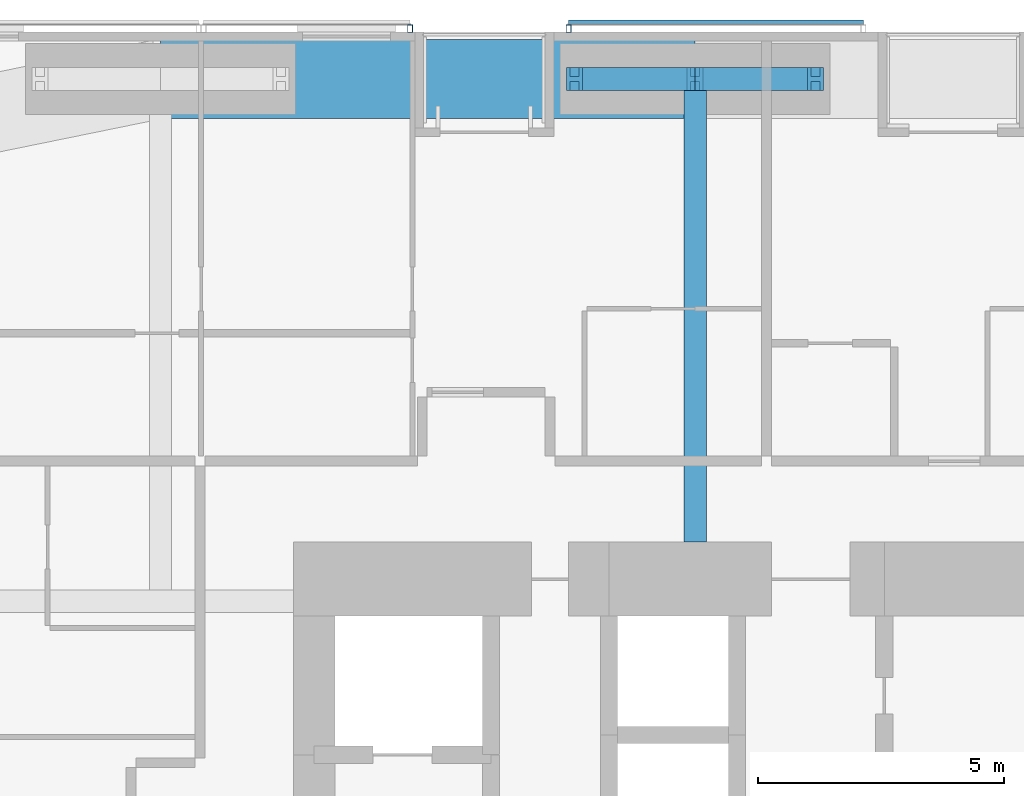
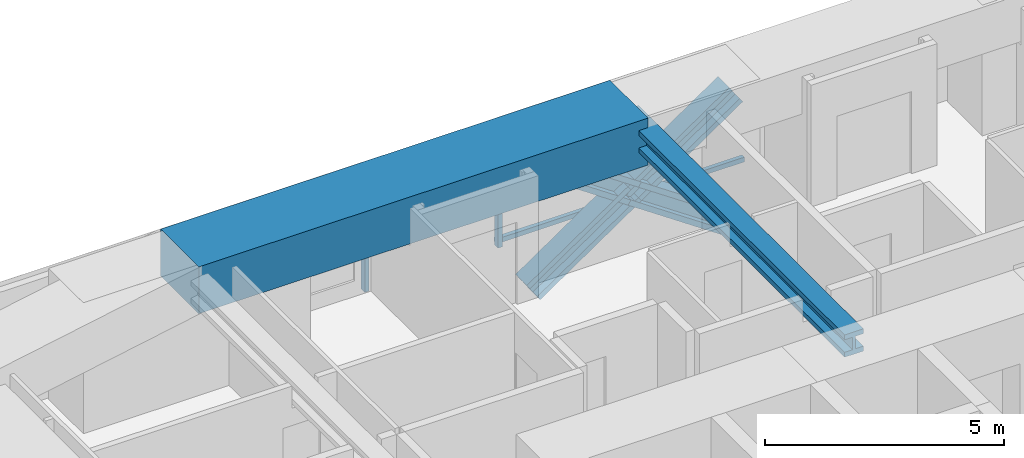
# One storey, part 13 of 25: 7 members, 2 beams, 2 elements without a shape of their own.
"""IFC4 building model written with IfcOpenShell, lengths in metres."""

from ifc_helpers import new_model, si_unit, direction, frame, origin, origin_2d, place, context, subcontext, project, spatial, rectangle, hollow_rectangle, i_section, extrude, material, material_profile, profile_set, type_object, element, aggregate, save


model = new_model("IFC4")

# Units and contexts
model_context = context("Model", 3, precision=1e-05, world=origin(), true_north=direction((0.0, 1.0)))
body_context = subcontext(model_context, "Body", "Model", "MODEL_VIEW")
ifc_project = project(units=[si_unit("LENGTHUNIT", "METRE"), si_unit("AREAUNIT", "SQUARE_METRE"), si_unit("VOLUMEUNIT", "CUBIC_METRE"), si_unit("PLANEANGLEUNIT", "RADIAN"), si_unit("MASSUNIT", "GRAM", prefix="KILO")], contexts=[model_context])

# Site, building, storey
site_placement = place(None, origin())
site = spatial("IfcSite", under=ifc_project, at=site_placement, CompositionType="ELEMENT")
building_placement = place(site_placement, origin())
building = spatial("IfcBuilding", under=site, at=building_placement, Name="Jalousie Tower", CompositionType="ELEMENT")
storey_placement = place(building_placement, frame((0.0, 0.0, 98.14990234375)))
storey = spatial("IfcBuildingStorey", under=building, at=storey_placement, Name="L26", CompositionType="ELEMENT", Elevation=98.14990234375)

# Beam
ifc_material_1 = material(Name="Steel ASTM A992 Grade 50", Category="steel")
ifc_material_profile_1 = material_profile(ifc_material_1, i_section(OverallWidth=0.45458984375, OverallDepth=0.569091796875, WebThickness=0.077880859375, FlangeThickness=0.124755859375, at=origin_2d()), Name="W14X730")
ifc_profile_set_1 = profile_set([ifc_material_profile_1], Name="Steel ASTM A992 Grade 50")
beam_type_1 = type_object("IfcBeamType", Name="LEAN COLLECTOR W14X730", PredefinedType="BEAM", material=ifc_profile_set_1)
beam_1_placement = place(storey_placement, frame((27.75, 37.050048828125, 2.82568359375), z_axis=(0.0, -1.0, 0.0), x_axis=(1.0, 0.0, 0.0)))
element("IfcBeam", 1, at=beam_1_placement, inside=storey, type_object=beam_type_1, Name="Lean collector under L27", PredefinedType="BEAM", context=body_context, shape_type="SweptSolid", body=[
    extrude(i_section(OverallWidth=0.45458984375, OverallDepth=0.569091796875, WebThickness=0.077880859375, FlangeThickness=0.124755859375, at=origin_2d()), origin(), (0.0, 0.0, 1.0), 9.425048828125),
])

# Members
ifc_material_2 = material(Name="Steel ASTM A992 Grade 50", Category="steel")
ifc_material_profile_2 = material_profile(ifc_material_2, i_section(OverallWidth=0.472412109375, OverallDepth=0.5791015625, WebThickness=0.094970703125, FlangeThickness=0.1298828125, at=origin_2d()), Name="W14X808")
ifc_profile_set_2 = profile_set([ifc_material_profile_2], Name="Steel ASTM A992 Grade 50")
member_type_1 = type_object("IfcMemberType", Name="PERIMETER BRACE W14X808", PredefinedType="BRACE", material=ifc_profile_set_2)
for number, where, z_axis, x_axis, name in (
    (2, (25.300048828125, 37.050048828125, -0.599853515625), (0.825500916831, 0.0, 0.564400776321), (0.0, 1.0, 0.0), "Perimeter brace 10 L26 part 1"),
    (3, (27.75, 37.050048828125, 1.0751953125), (0.825539243753, 0.0, 0.564344714713), (0.0, 1.0, 0.0), "Perimeter brace 10 L26 part 2"),
    (4, (30.199951171875, 37.050048828125, -0.599853515625), (-0.825500916831, 0.0, 0.564400776321), (0.0, -1.0, 0.0), "Perimeter brace 10 L26 part 3"),
    (5, (27.75, 37.050048828125, 1.0751953125), (-0.825539243753, 0.0, 0.564344714713), (0.0, -1.0, 0.0), "Perimeter brace 10 L26 part 4"),
):
    element("IfcMember", number, at=place(storey_placement, frame(where, z_axis=z_axis, x_axis=x_axis)), inside=storey, type_object=member_type_1, Name=name, PredefinedType="BRACE", context=body_context, shape_type="SweptSolid", body=[
        extrude(i_section(OverallWidth=0.472412109375, OverallDepth=0.5791015625, WebThickness=0.094970703125, FlangeThickness=0.1298828125, at=origin_2d()), origin(), (0.0, 0.0, 1.0), 2.9677734375),
    ])

# Beam
ifc_material_3 = material(Name="Concrete f'c 40 MPa", Category="concrete")
ifc_material_profile_3 = material_profile(ifc_material_3, rectangle(XDim=1.60009765625, YDim=1.199951171875, at=origin_2d()), Name="RC 1600x1200")
ifc_profile_set_3 = profile_set([ifc_material_profile_3], Name="Concrete f'c 40 MPa")
beam_type_2 = type_object("IfcBeamType", Name="RC BEAM 1600x1200", PredefinedType="BEAM", material=ifc_profile_set_3)
beam_2_placement = place(storey_placement, frame((27.75, 37.050048828125, 2.75), z_axis=(-1.0, 0.0, 0.0), x_axis=(0.0, -1.0, 0.0)))
element("IfcBeam", 6, at=beam_2_placement, inside=storey, type_object=beam_type_2, Name="Edge band beam 10-11 under L27", PredefinedType="BEAM", context=body_context, shape_type="SweptSolid", body=[
    extrude(rectangle(XDim=1.60009765625, YDim=1.199951171875, at=origin_2d()), origin(), (0.0, 0.0, 1.0), 10.875),
])

# Curtain wall, member
ifc_material_4 = material(Name="Perforated aluminium sheet", Category="aluminium")
curtain_wall_type = type_object("IfcCurtainWallType", Name="SOLAR SCREEN SS-1", PredefinedType="USERDEFINED", material=ifc_material_4)
curtain_wall_1_placement = place(storey_placement, origin())
curtain_wall_1 = element("IfcCurtainWall", 7, at=curtain_wall_1_placement, inside=storey, type_object=curtain_wall_type, Name="Solar screen L26", ObjectType="SOLAR SCREEN SS-1", PredefinedType="USERDEFINED")
ifc_material_5 = material(Name="Steel ASTM A500 Grade C", Category="steel")
ifc_material_profile_4 = material_profile(ifc_material_5, hollow_rectangle(XDim=0.1015625, YDim=0.15234375, WallThickness=0.00634765625, at=origin_2d()), Name="HSS6X4X1/4")
ifc_profile_set_4 = profile_set([ifc_material_profile_4], Name="Steel ASTM A500 Grade C")
member_type_2 = type_object("IfcMemberType", Name="SOLAR SCREEN SS-1 MULLION", PredefinedType="MULLION", material=ifc_profile_set_4)
member_1_placement = place(storey_placement, frame((25.175048828125, 38.0712890625, -0.119873046875), z_axis=(0.0, 0.0, 1.0), x_axis=(-1.0, 0.0, 0.0)))
member_1 = element("IfcMember", 8, at=member_1_placement, type_object=member_type_2, Name="SS1 post 2", PredefinedType="MULLION", context=body_context, shape_type="SweptSolid", body=[
    extrude(hollow_rectangle(XDim=0.1015625, YDim=0.15234375, WallThickness=0.00634765625, at=origin_2d()), origin(), (0.0, 0.0, 1.0), 3.22998046875),
])

curtain_wall_2_placement = place(storey_placement, origin())
curtain_wall_2 = element("IfcCurtainWall", 9, at=curtain_wall_2_placement, inside=storey, type_object=curtain_wall_type, Name="Solar screen L26", ObjectType="SOLAR SCREEN SS-1", PredefinedType="USERDEFINED")
member_2_placement = place(storey_placement, frame((21.949951171875, 38.0712890625, -0.119873046875), z_axis=(0.0, 0.0, 1.0), x_axis=(-1.0, 0.0, 0.0)))
member_2 = element("IfcMember", 10, at=member_2_placement, type_object=member_type_2, Name="SS1 post 1", PredefinedType="MULLION", context=body_context, shape_type="SweptSolid", body=[
    extrude(hollow_rectangle(XDim=0.1015625, YDim=0.15234375, WallThickness=0.00634765625, at=origin_2d()), origin(), (0.0, 0.0, 1.0), 3.22998046875),
])
aggregate(curtain_wall_2, [member_2])

# Member
ifc_material_6 = material(Name="Extruded aluminium screen rail", Category="aluminium")
ifc_material_profile_5 = material_profile(ifc_material_6, rectangle(XDim=0.1015625, YDim=0.1201171875, at=origin_2d()), Name="RAIL 102x120")
ifc_profile_set_5 = profile_set([ifc_material_profile_5], Name="Extruded aluminium screen rail")
member_type_3 = type_object("IfcMemberType", Name="SOLAR SCREEN SS-1 TRANSOM", PredefinedType="USERDEFINED", material=ifc_profile_set_5)
member_3_placement = place(storey_placement, frame((31.175048828125, 38.1982421875, -0.059814453125), z_axis=(-1.0, 0.0, 0.0), x_axis=(0.0, -1.0, 0.0)))
member_3 = element("IfcMember", 11, at=member_3_placement, type_object=member_type_3, Name="SS1 rail", ObjectType="TRANSOM", PredefinedType="USERDEFINED", context=body_context, shape_type="SweptSolid", body=[
    extrude(rectangle(XDim=0.1015625, YDim=0.1201171875, at=origin_2d()), origin(), (0.0, 0.0, 1.0), 6.0),
])

aggregate(curtain_wall_1, [member_1, member_3])

save(model, "model.ifc")
